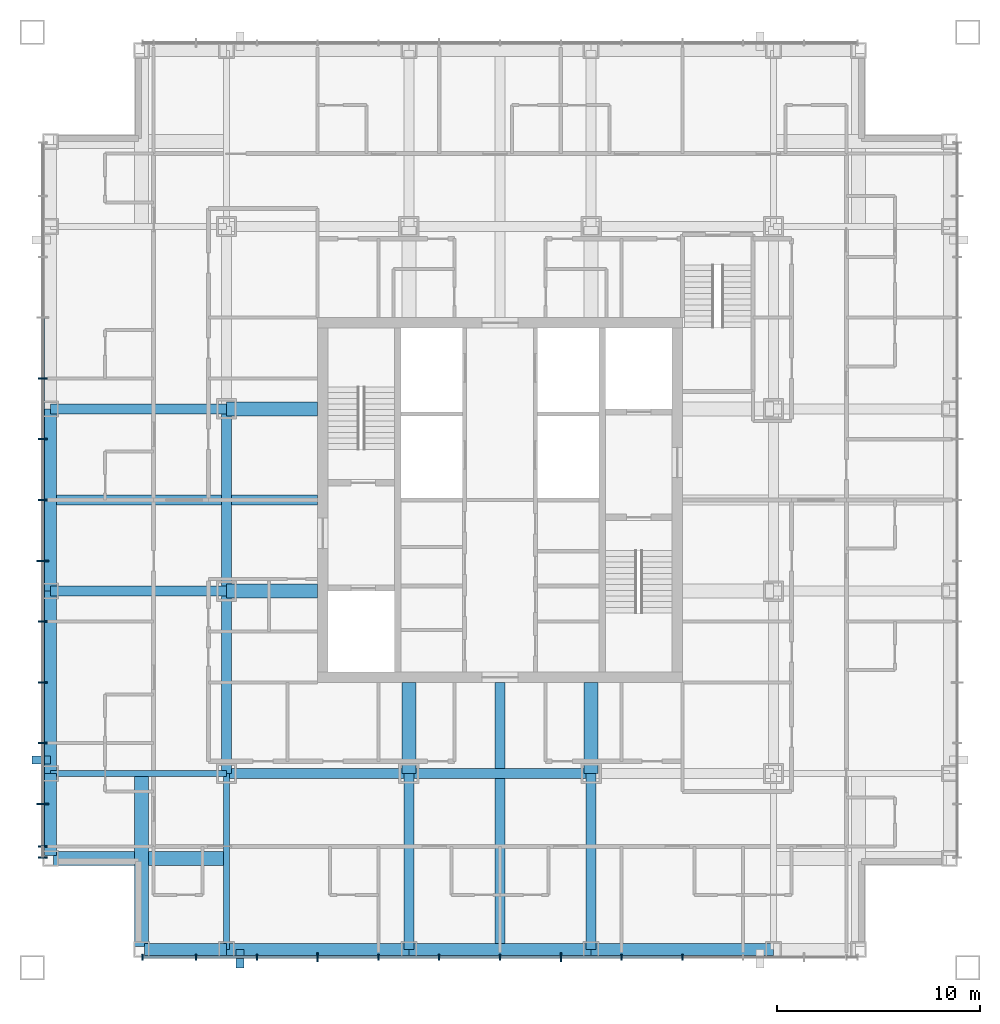
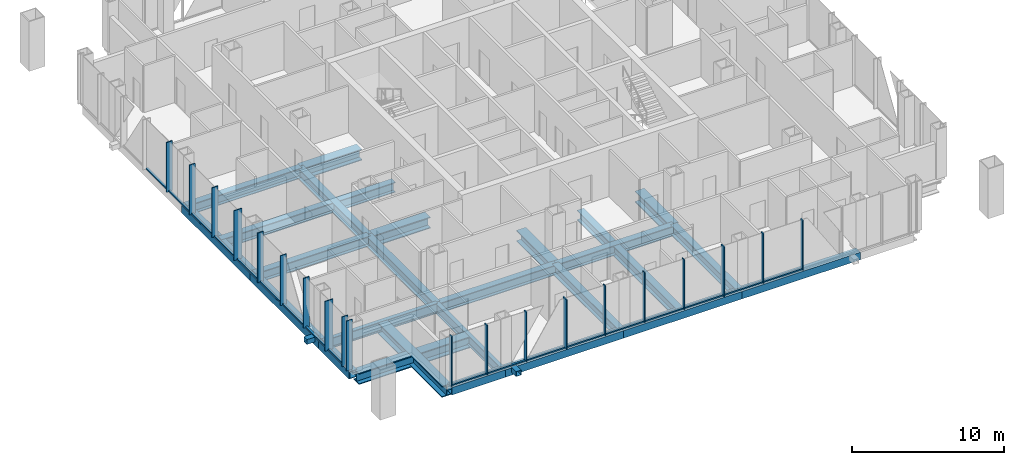
# One storey, part 2 of 18: 40 members, 25 beams, 2 elements without a shape of their own.
"""IFC4 building model written with IfcOpenShell, lengths in metres."""

from ifc_helpers import new_model, si_unit, direction, frame, origin, origin_2d, place, context, subcontext, project, spatial, rectangle, hollow_rectangle, i_section, extrude, material, layer, layer_set, material_profile, profile_set, type_object, element, aggregate, save


model = new_model("IFC4")

# Units and contexts
model_context = context("Model", 3, precision=1e-05, world=origin(), true_north=direction((0.0, 1.0)))
body_context = subcontext(model_context, "Body", "Model", "MODEL_VIEW")
ifc_project = project(units=[si_unit("LENGTHUNIT", "METRE"), si_unit("AREAUNIT", "SQUARE_METRE"), si_unit("VOLUMEUNIT", "CUBIC_METRE"), si_unit("PLANEANGLEUNIT", "RADIAN"), si_unit("MASSUNIT", "GRAM", prefix="KILO")], contexts=[model_context])

# Site, building, storey
site_placement = place(None, origin())
site = spatial("IfcSite", under=ifc_project, at=site_placement, CompositionType="ELEMENT")
building_placement = place(site_placement, origin())
building = spatial("IfcBuilding", under=site, at=building_placement, Name="Malebo Sky Hospital", CompositionType="ELEMENT")
storey_placement = place(building_placement, frame((0.0, 0.0, 225.0)))
storey = spatial("IfcBuildingStorey", under=building, at=storey_placement, Name="L54", CompositionType="ELEMENT", Elevation=225.0)

# Curtain wall, members
ifc_material_1 = material(Name="Anodised aluminium, natural silver", Category="aluminium")
ifc_layer_1 = layer(ifc_material_1, 0.25)
ifc_layer_set_1 = layer_set([ifc_layer_1], Name="WARD CURTAIN WALL EAST AND WEST")
curtain_wall_type_1 = type_object("IfcCurtainWallType", Name="WARD CURTAIN WALL EAST AND WEST", PredefinedType="NOTDEFINED", material=ifc_layer_set_1)
curtain_wall_1_placement = place(storey_placement, origin())
curtain_wall_1 = element("IfcCurtainWall", 1, at=curtain_wall_1_placement, inside=storey, type_object=curtain_wall_type_1, Name="EW curtain wall W", PredefinedType="NOTDEFINED")
ifc_material_profile_1 = material_profile(ifc_material_1, rectangle(XDim=0.14990234375, YDim=0.10009765625, at=origin_2d()), Name="ALUMINIUM TRANSOM 150x100")
ifc_profile_set_1 = profile_set([ifc_material_profile_1], Name="Anodised aluminium, natural silver")
member_type_1 = type_object("IfcMemberType", Name="ALUMINIUM TRANSOM 150x100", PredefinedType="USERDEFINED", material=ifc_profile_set_1)
member_1_placement = place(storey_placement, frame((37.425048828125, 44.9375, 0.050048828125), z_axis=(0.0, 1.0, 0.0), x_axis=(-1.0, 0.0, 0.0)))
member_1 = element("IfcMember", 2, at=member_1_placement, type_object=member_type_1, Name="Transom 2", ObjectType="TRANSOM", PredefinedType="USERDEFINED", context=body_context, shape_type="SweptSolid", body=[
    extrude(rectangle(XDim=0.14990234375, YDim=0.10009765625, at=origin_2d()), origin(), (0.0, 0.0, 1.0), 2.02490234375),
])
member_2_placement = place(storey_placement, frame((37.425048828125, 47.03759765625, 0.050048828125), z_axis=(0.0, 1.0, 0.0), x_axis=(-1.0, 0.0, 0.0)))
member_2 = element("IfcMember", 3, at=member_2_placement, type_object=member_type_1, Name="Transom 3", ObjectType="TRANSOM", PredefinedType="USERDEFINED", context=body_context, shape_type="SweptSolid", body=[
    extrude(rectangle(XDim=0.14990234375, YDim=0.10009765625, at=origin_2d()), origin(), (0.0, 0.0, 1.0), 2.9248046875),
])
member_3_placement = place(storey_placement, frame((37.425048828125, 50.03759765625, 0.050048828125), z_axis=(0.0, 1.0, 0.0), x_axis=(-1.0, 0.0, 0.0)))
member_3 = element("IfcMember", 4, at=member_3_placement, type_object=member_type_1, Name="Transom 4", ObjectType="TRANSOM", PredefinedType="USERDEFINED", context=body_context, shape_type="SweptSolid", body=[
    extrude(rectangle(XDim=0.14990234375, YDim=0.10009765625, at=origin_2d()), origin(), (0.0, 0.0, 1.0), 2.9248046875),
])
member_4_placement = place(storey_placement, frame((37.425048828125, 53.03759765625, 0.050048828125), z_axis=(0.0, 1.0, 0.0), x_axis=(-1.0, 0.0, 0.0)))
member_4 = element("IfcMember", 5, at=member_4_placement, type_object=member_type_1, Name="Transom 5", ObjectType="TRANSOM", PredefinedType="USERDEFINED", context=body_context, shape_type="SweptSolid", body=[
    extrude(rectangle(XDim=0.14990234375, YDim=0.10009765625, at=origin_2d()), origin(), (0.0, 0.0, 1.0), 2.9248046875),
])
member_5_placement = place(storey_placement, frame((37.425048828125, 56.03759765625, 0.050048828125), z_axis=(0.0, 1.0, 0.0), x_axis=(-1.0, 0.0, 0.0)))
member_5 = element("IfcMember", 6, at=member_5_placement, type_object=member_type_1, Name="Transom 6", ObjectType="TRANSOM", PredefinedType="USERDEFINED", context=body_context, shape_type="SweptSolid", body=[
    extrude(rectangle(XDim=0.14990234375, YDim=0.10009765625, at=origin_2d()), origin(), (0.0, 0.0, 1.0), 2.9248046875),
])
member_6_placement = place(storey_placement, frame((37.425048828125, 59.03759765625, 0.050048828125), z_axis=(0.0, 1.0, 0.0), x_axis=(-1.0, 0.0, 0.0)))
member_6 = element("IfcMember", 7, at=member_6_placement, type_object=member_type_1, Name="Transom 7", ObjectType="TRANSOM", PredefinedType="USERDEFINED", context=body_context, shape_type="SweptSolid", body=[
    extrude(rectangle(XDim=0.14990234375, YDim=0.10009765625, at=origin_2d()), origin(), (0.0, 0.0, 1.0), 2.9248046875),
])
member_7_placement = place(storey_placement, frame((37.425048828125, 62.03759765625, 0.050048828125), z_axis=(0.0, 1.0, 0.0), x_axis=(-1.0, 0.0, 0.0)))
member_7 = element("IfcMember", 8, at=member_7_placement, type_object=member_type_1, Name="Transom 8", ObjectType="TRANSOM", PredefinedType="USERDEFINED", context=body_context, shape_type="SweptSolid", body=[
    extrude(rectangle(XDim=0.14990234375, YDim=0.10009765625, at=origin_2d()), origin(), (0.0, 0.0, 1.0), 2.9248046875),
])
member_8_placement = place(storey_placement, frame((37.425048828125, 65.03759765625, 0.050048828125), z_axis=(0.0, 1.0, 0.0), x_axis=(-1.0, 0.0, 0.0)))
member_8 = element("IfcMember", 9, at=member_8_placement, type_object=member_type_1, Name="Transom 9", ObjectType="TRANSOM", PredefinedType="USERDEFINED", context=body_context, shape_type="SweptSolid", body=[
    extrude(rectangle(XDim=0.14990234375, YDim=0.10009765625, at=origin_2d()), origin(), (0.0, 0.0, 1.0), 2.9248046875),
])
member_9_placement = place(storey_placement, frame((37.425048828125, 68.03759765625, 0.050048828125), z_axis=(0.0, 1.0, 0.0), x_axis=(-1.0, 0.0, 0.0)))
member_9 = element("IfcMember", 10, at=member_9_placement, type_object=member_type_1, Name="Transom 10", ObjectType="TRANSOM", PredefinedType="USERDEFINED", context=body_context, shape_type="SweptSolid", body=[
    extrude(rectangle(XDim=0.14990234375, YDim=0.10009765625, at=origin_2d()), origin(), (0.0, 0.0, 1.0), 2.9248046875),
])

ifc_layer_2 = layer(ifc_material_1, 0.25)
ifc_layer_set_2 = layer_set([ifc_layer_2], Name="WARD CURTAIN WALL NORTH AND SOUTH")
curtain_wall_type_2 = type_object("IfcCurtainWallType", Name="WARD CURTAIN WALL NORTH AND SOUTH", PredefinedType="NOTDEFINED", material=ifc_layer_set_2)
curtain_wall_2_placement = place(storey_placement, origin())
curtain_wall_2 = element("IfcCurtainWall", 11, at=curtain_wall_2_placement, inside=storey, type_object=curtain_wall_type_2, Name="NS curtain wall S", PredefinedType="NOTDEFINED")
member_10_placement = place(storey_placement, frame((68.96240234375, 39.425048828125, 0.050048828125), z_axis=(-1.0, 0.0, 0.0), x_axis=(0.0, -1.0, 0.0)))
member_10 = element("IfcMember", 12, at=member_10_placement, type_object=member_type_1, Name="Transom 5", ObjectType="TRANSOM", PredefinedType="USERDEFINED", context=body_context, shape_type="SweptSolid", body=[
    extrude(rectangle(XDim=0.14990234375, YDim=0.10009765625, at=origin_2d()), origin(), (0.0, 0.0, 1.0), 2.9248046875),
])
member_11_placement = place(storey_placement, frame((65.96240234375, 39.425048828125, 0.050048828125), z_axis=(-1.0, 0.0, 0.0), x_axis=(0.0, -1.0, 0.0)))
member_11 = element("IfcMember", 13, at=member_11_placement, type_object=member_type_1, Name="Transom 6", ObjectType="TRANSOM", PredefinedType="USERDEFINED", context=body_context, shape_type="SweptSolid", body=[
    extrude(rectangle(XDim=0.14990234375, YDim=0.10009765625, at=origin_2d()), origin(), (0.0, 0.0, 1.0), 2.9248046875),
])
member_12_placement = place(storey_placement, frame((62.96240234375, 39.425048828125, 0.050048828125), z_axis=(-1.0, 0.0, 0.0), x_axis=(0.0, -1.0, 0.0)))
member_12 = element("IfcMember", 14, at=member_12_placement, type_object=member_type_1, Name="Transom 7", ObjectType="TRANSOM", PredefinedType="USERDEFINED", context=body_context, shape_type="SweptSolid", body=[
    extrude(rectangle(XDim=0.14990234375, YDim=0.10009765625, at=origin_2d()), origin(), (0.0, 0.0, 1.0), 2.9248046875),
])
member_13_placement = place(storey_placement, frame((59.96240234375, 39.425048828125, 0.050048828125), z_axis=(-1.0, 0.0, 0.0), x_axis=(0.0, -1.0, 0.0)))
member_13 = element("IfcMember", 15, at=member_13_placement, type_object=member_type_1, Name="Transom 8", ObjectType="TRANSOM", PredefinedType="USERDEFINED", context=body_context, shape_type="SweptSolid", body=[
    extrude(rectangle(XDim=0.14990234375, YDim=0.10009765625, at=origin_2d()), origin(), (0.0, 0.0, 1.0), 2.9248046875),
])
member_14_placement = place(storey_placement, frame((56.96240234375, 39.425048828125, 0.050048828125), z_axis=(-1.0, 0.0, 0.0), x_axis=(0.0, -1.0, 0.0)))
member_14 = element("IfcMember", 16, at=member_14_placement, type_object=member_type_1, Name="Transom 9", ObjectType="TRANSOM", PredefinedType="USERDEFINED", context=body_context, shape_type="SweptSolid", body=[
    extrude(rectangle(XDim=0.14990234375, YDim=0.10009765625, at=origin_2d()), origin(), (0.0, 0.0, 1.0), 2.9248046875),
])
member_15_placement = place(storey_placement, frame((53.96240234375, 39.425048828125, 0.050048828125), z_axis=(-1.0, 0.0, 0.0), x_axis=(0.0, -1.0, 0.0)))
member_15 = element("IfcMember", 17, at=member_15_placement, type_object=member_type_1, Name="Transom 10", ObjectType="TRANSOM", PredefinedType="USERDEFINED", context=body_context, shape_type="SweptSolid", body=[
    extrude(rectangle(XDim=0.14990234375, YDim=0.10009765625, at=origin_2d()), origin(), (0.0, 0.0, 1.0), 2.9248046875),
])
member_16_placement = place(storey_placement, frame((50.96240234375, 39.425048828125, 0.050048828125), z_axis=(-1.0, 0.0, 0.0), x_axis=(0.0, -1.0, 0.0)))
member_16 = element("IfcMember", 18, at=member_16_placement, type_object=member_type_1, Name="Transom 11", ObjectType="TRANSOM", PredefinedType="USERDEFINED", context=body_context, shape_type="SweptSolid", body=[
    extrude(rectangle(XDim=0.14990234375, YDim=0.10009765625, at=origin_2d()), origin(), (0.0, 0.0, 1.0), 2.9248046875),
])
member_17_placement = place(storey_placement, frame((47.96240234375, 39.425048828125, 0.050048828125), z_axis=(-1.0, 0.0, 0.0), x_axis=(0.0, -1.0, 0.0)))
member_17 = element("IfcMember", 19, at=member_17_placement, type_object=member_type_1, Name="Transom 12", ObjectType="TRANSOM", PredefinedType="USERDEFINED", context=body_context, shape_type="SweptSolid", body=[
    extrude(rectangle(XDim=0.14990234375, YDim=0.10009765625, at=origin_2d()), origin(), (0.0, 0.0, 1.0), 2.9248046875),
])
member_18_placement = place(storey_placement, frame((44.96240234375, 39.425048828125, 0.050048828125), z_axis=(-1.0, 0.0, 0.0), x_axis=(0.0, -1.0, 0.0)))
member_18 = element("IfcMember", 20, at=member_18_placement, type_object=member_type_1, Name="Transom 13", ObjectType="TRANSOM", PredefinedType="USERDEFINED", context=body_context, shape_type="SweptSolid", body=[
    extrude(rectangle(XDim=0.14990234375, YDim=0.10009765625, at=origin_2d()), origin(), (0.0, 0.0, 1.0), 2.58740234375),
])

# Members
ifc_material_2 = material(Name="Steel S355", Category="steel")
ifc_material_profile_2 = material_profile(ifc_material_2, hollow_rectangle(XDim=0.39990234375, YDim=0.39990234375, WallThickness=0.02001953125, at=origin_2d()), Name="SHS 400x20")
ifc_profile_set_2 = profile_set([ifc_material_profile_2], Name="Steel S355")
member_type_2 = type_object("IfcMemberType", Name="BRACE STRUT SHS 400x20", PredefinedType="STRUT", material=ifc_profile_set_2)
for number, where, z_axis, x_axis, name in (
    (21, (47.166748046875, 38.89990234375, -0.39990234375), (0.0, 1.0, 0.0), (-1.0, 0.0, 0.0), "Brace strut CS1 L54"),
    (22, (36.89990234375, 49.166748046875, -0.39990234375), (1.0, 0.0, 0.0), (0.0, 1.0, 0.0), "Brace strut CW2 L54"),
):
    element("IfcMember", number, at=place(storey_placement, frame(where, z_axis=z_axis, x_axis=x_axis)), inside=storey, type_object=member_type_2, Name=name, PredefinedType="STRUT", context=body_context, shape_type="SweptSolid", body=[
        extrude(hollow_rectangle(XDim=0.39990234375, YDim=0.39990234375, WallThickness=0.02001953125, at=origin_2d()), origin(), (0.0, 0.0, 1.0), 0.900146484375),
    ])

# Member
ifc_material_profile_3 = material_profile(ifc_material_1, rectangle(XDim=0.074951171875, YDim=0.300048828125, at=origin_2d()), Name="CW1 ALUMINIUM FIN MULLION 75x300")
ifc_profile_set_3 = profile_set([ifc_material_profile_3], Name="Anodised aluminium, natural silver")
member_type_3 = type_object("IfcMemberType", Name="CW1 ALUMINIUM FIN MULLION 75x300", PredefinedType="MULLION", material=ifc_profile_set_3)
member_19_placement = place(storey_placement, frame((69.0, 39.425048828125, 0.0), z_axis=(0.0, 0.0, 1.0), x_axis=(-1.0, 0.0, 0.0)))
member_19 = element("IfcMember", 23, at=member_19_placement, type_object=member_type_3, Name="Fin mullion 5", PredefinedType="MULLION", context=body_context, shape_type="SweptSolid", body=[
    extrude(rectangle(XDim=0.074951171875, YDim=0.300048828125, at=origin_2d()), origin(), (0.0, 0.0, 1.0), 4.0),
])

member_20_placement = place(storey_placement, frame((66.0, 39.425048828125, 0.0), z_axis=(0.0, 0.0, 1.0), x_axis=(-1.0, 0.0, 0.0)))
member_20 = element("IfcMember", 24, at=member_20_placement, type_object=member_type_3, Name="Fin mullion 6", PredefinedType="MULLION", context=body_context, shape_type="SweptSolid", body=[
    extrude(rectangle(XDim=0.074951171875, YDim=0.300048828125, at=origin_2d()), origin(), (0.0, 0.0, 1.0), 4.0),
])

member_21_placement = place(storey_placement, frame((60.0, 39.425048828125, 0.0), z_axis=(0.0, 0.0, 1.0), x_axis=(-1.0, 0.0, 0.0)))
member_21 = element("IfcMember", 25, at=member_21_placement, type_object=member_type_3, Name="Fin mullion 8", PredefinedType="MULLION", context=body_context, shape_type="SweptSolid", body=[
    extrude(rectangle(XDim=0.074951171875, YDim=0.300048828125, at=origin_2d()), origin(), (0.0, 0.0, 1.0), 4.0),
])

member_22_placement = place(storey_placement, frame((57.0, 39.425048828125, 0.0), z_axis=(0.0, 0.0, 1.0), x_axis=(-1.0, 0.0, 0.0)))
member_22 = element("IfcMember", 26, at=member_22_placement, type_object=member_type_3, Name="Fin mullion 9", PredefinedType="MULLION", context=body_context, shape_type="SweptSolid", body=[
    extrude(rectangle(XDim=0.074951171875, YDim=0.300048828125, at=origin_2d()), origin(), (0.0, 0.0, 1.0), 4.0),
])

member_23_placement = place(storey_placement, frame((54.0, 39.425048828125, 0.0), z_axis=(0.0, 0.0, 1.0), x_axis=(-1.0, 0.0, 0.0)))
member_23 = element("IfcMember", 27, at=member_23_placement, type_object=member_type_3, Name="Fin mullion 10", PredefinedType="MULLION", context=body_context, shape_type="SweptSolid", body=[
    extrude(rectangle(XDim=0.074951171875, YDim=0.300048828125, at=origin_2d()), origin(), (0.0, 0.0, 1.0), 4.0),
])

member_24_placement = place(storey_placement, frame((48.0, 39.425048828125, 0.0), z_axis=(0.0, 0.0, 1.0), x_axis=(-1.0, 0.0, 0.0)))
member_24 = element("IfcMember", 28, at=member_24_placement, type_object=member_type_3, Name="Fin mullion 12", PredefinedType="MULLION", context=body_context, shape_type="SweptSolid", body=[
    extrude(rectangle(XDim=0.074951171875, YDim=0.300048828125, at=origin_2d()), origin(), (0.0, 0.0, 1.0), 4.0),
])

member_25_placement = place(storey_placement, frame((45.0, 39.425048828125, 0.0), z_axis=(0.0, 0.0, 1.0), x_axis=(-1.0, 0.0, 0.0)))
member_25 = element("IfcMember", 29, at=member_25_placement, type_object=member_type_3, Name="Fin mullion 13", PredefinedType="MULLION", context=body_context, shape_type="SweptSolid", body=[
    extrude(rectangle(XDim=0.074951171875, YDim=0.300048828125, at=origin_2d()), origin(), (0.0, 0.0, 1.0), 4.0),
])

member_26_placement = place(storey_placement, frame((42.33740234375, 39.425048828125, 0.0), z_axis=(0.0, 0.0, 1.0), x_axis=(-1.0, 0.0, 0.0)))
member_26 = element("IfcMember", 30, at=member_26_placement, type_object=member_type_3, Name="Fin mullion 14", PredefinedType="MULLION", context=body_context, shape_type="SweptSolid", body=[
    extrude(rectangle(XDim=0.074951171875, YDim=0.300048828125, at=origin_2d()), origin(), (0.0, 0.0, 1.0), 4.0),
])

ifc_material_profile_4 = material_profile(ifc_material_1, rectangle(XDim=0.074951171875, YDim=0.449951171875, at=origin_2d()), Name="CW1 ALUMINIUM FIN MULLION 75x450")
ifc_profile_set_4 = profile_set([ifc_material_profile_4], Name="Anodised aluminium, natural silver")
member_type_4 = type_object("IfcMemberType", Name="CW1 ALUMINIUM FIN MULLION 75x450", PredefinedType="MULLION", material=ifc_profile_set_4)
member_27_placement = place(storey_placement, frame((63.0, 39.425048828125, 0.0), z_axis=(0.0, 0.0, 1.0), x_axis=(-1.0, 0.0, 0.0)))
member_27 = element("IfcMember", 31, at=member_27_placement, type_object=member_type_4, Name="Fin mullion 7", PredefinedType="MULLION", context=body_context, shape_type="SweptSolid", body=[
    extrude(rectangle(XDim=0.074951171875, YDim=0.449951171875, at=origin_2d()), origin(), (0.0, 0.0, 1.0), 4.0),
])

member_28_placement = place(storey_placement, frame((51.0, 39.425048828125, 0.0), z_axis=(0.0, 0.0, 1.0), x_axis=(-1.0, 0.0, 0.0)))
member_28 = element("IfcMember", 32, at=member_28_placement, type_object=member_type_4, Name="Fin mullion 11", PredefinedType="MULLION", context=body_context, shape_type="SweptSolid", body=[
    extrude(rectangle(XDim=0.074951171875, YDim=0.449951171875, at=origin_2d()), origin(), (0.0, 0.0, 1.0), 4.0),
])

aggregate(curtain_wall_2, [member_19, member_20, member_27, member_21, member_22, member_23, member_28, member_24, member_25, member_26, member_10, member_11, member_12, member_13, member_14, member_15, member_16, member_17, member_18])

ifc_material_profile_5 = material_profile(ifc_material_1, rectangle(XDim=0.074951171875, YDim=0.449951171875, at=origin_2d()), Name="CW2 ALUMINIUM FIN MULLION 75x450")
ifc_profile_set_5 = profile_set([ifc_material_profile_5], Name="Anodised aluminium, natural silver")
member_type_5 = type_object("IfcMemberType", Name="CW2 ALUMINIUM FIN MULLION 75x450", PredefinedType="MULLION", material=ifc_profile_set_5)
member_29_placement = place(storey_placement, frame((37.425048828125, 44.33740234375, 0.0), z_axis=(0.0, 0.0, 1.0), x_axis=(0.0, 1.0, 0.0)))
member_29 = element("IfcMember", 33, at=member_29_placement, type_object=member_type_5, Name="Fin mullion 1", PredefinedType="MULLION", context=body_context, shape_type="SweptSolid", body=[
    extrude(rectangle(XDim=0.074951171875, YDim=0.449951171875, at=origin_2d()), origin(), (0.0, 0.0, 1.0), 4.0),
])

member_30_placement = place(storey_placement, frame((37.425048828125, 44.89990234375, 0.0), z_axis=(0.0, 0.0, 1.0), x_axis=(0.0, 1.0, 0.0)))
member_30 = element("IfcMember", 34, at=member_30_placement, type_object=member_type_5, Name="Fin mullion 2", PredefinedType="MULLION", context=body_context, shape_type="SweptSolid", body=[
    extrude(rectangle(XDim=0.074951171875, YDim=0.449951171875, at=origin_2d()), origin(), (0.0, 0.0, 1.0), 4.0),
])

member_31_placement = place(storey_placement, frame((37.425048828125, 50.0, 0.0), z_axis=(0.0, 0.0, 1.0), x_axis=(0.0, 1.0, 0.0)))
member_31 = element("IfcMember", 35, at=member_31_placement, type_object=member_type_5, Name="Fin mullion 4", PredefinedType="MULLION", context=body_context, shape_type="SweptSolid", body=[
    extrude(rectangle(XDim=0.074951171875, YDim=0.449951171875, at=origin_2d()), origin(), (0.0, 0.0, 1.0), 4.0),
])

member_32_placement = place(storey_placement, frame((37.425048828125, 53.0, 0.0), z_axis=(0.0, 0.0, 1.0), x_axis=(0.0, 1.0, 0.0)))
member_32 = element("IfcMember", 36, at=member_32_placement, type_object=member_type_5, Name="Fin mullion 5", PredefinedType="MULLION", context=body_context, shape_type="SweptSolid", body=[
    extrude(rectangle(XDim=0.074951171875, YDim=0.449951171875, at=origin_2d()), origin(), (0.0, 0.0, 1.0), 4.0),
])

member_33_placement = place(storey_placement, frame((37.425048828125, 56.0, 0.0), z_axis=(0.0, 0.0, 1.0), x_axis=(0.0, 1.0, 0.0)))
member_33 = element("IfcMember", 37, at=member_33_placement, type_object=member_type_5, Name="Fin mullion 6", PredefinedType="MULLION", context=body_context, shape_type="SweptSolid", body=[
    extrude(rectangle(XDim=0.074951171875, YDim=0.449951171875, at=origin_2d()), origin(), (0.0, 0.0, 1.0), 4.0),
])

member_34_placement = place(storey_placement, frame((37.425048828125, 62.0, 0.0), z_axis=(0.0, 0.0, 1.0), x_axis=(0.0, 1.0, 0.0)))
member_34 = element("IfcMember", 38, at=member_34_placement, type_object=member_type_5, Name="Fin mullion 8", PredefinedType="MULLION", context=body_context, shape_type="SweptSolid", body=[
    extrude(rectangle(XDim=0.074951171875, YDim=0.449951171875, at=origin_2d()), origin(), (0.0, 0.0, 1.0), 4.0),
])

member_35_placement = place(storey_placement, frame((37.425048828125, 65.0, 0.0), z_axis=(0.0, 0.0, 1.0), x_axis=(0.0, 1.0, 0.0)))
member_35 = element("IfcMember", 39, at=member_35_placement, type_object=member_type_5, Name="Fin mullion 9", PredefinedType="MULLION", context=body_context, shape_type="SweptSolid", body=[
    extrude(rectangle(XDim=0.074951171875, YDim=0.449951171875, at=origin_2d()), origin(), (0.0, 0.0, 1.0), 4.0),
])

member_36_placement = place(storey_placement, frame((37.425048828125, 68.0, 0.0), z_axis=(0.0, 0.0, 1.0), x_axis=(0.0, 1.0, 0.0)))
member_36 = element("IfcMember", 40, at=member_36_placement, type_object=member_type_5, Name="Fin mullion 10", PredefinedType="MULLION", context=body_context, shape_type="SweptSolid", body=[
    extrude(rectangle(XDim=0.074951171875, YDim=0.449951171875, at=origin_2d()), origin(), (0.0, 0.0, 1.0), 4.0),
])

ifc_material_profile_6 = material_profile(ifc_material_1, rectangle(XDim=0.074951171875, YDim=0.60009765625, at=origin_2d()), Name="CW2 ALUMINIUM FIN MULLION 75x600")
ifc_profile_set_6 = profile_set([ifc_material_profile_6], Name="Anodised aluminium, natural silver")
member_type_6 = type_object("IfcMemberType", Name="CW2 ALUMINIUM FIN MULLION 75x600", PredefinedType="MULLION", material=ifc_profile_set_6)
member_37_placement = place(storey_placement, frame((37.425048828125, 47.0, 0.0), z_axis=(0.0, 0.0, 1.0), x_axis=(0.0, 1.0, 0.0)))
member_37 = element("IfcMember", 41, at=member_37_placement, type_object=member_type_6, Name="Fin mullion 3", PredefinedType="MULLION", context=body_context, shape_type="SweptSolid", body=[
    extrude(rectangle(XDim=0.074951171875, YDim=0.60009765625, at=origin_2d()), origin(), (0.0, 0.0, 1.0), 4.0),
])

member_38_placement = place(storey_placement, frame((37.425048828125, 59.0, 0.0), z_axis=(0.0, 0.0, 1.0), x_axis=(0.0, 1.0, 0.0)))
member_38 = element("IfcMember", 42, at=member_38_placement, type_object=member_type_6, Name="Fin mullion 7", PredefinedType="MULLION", context=body_context, shape_type="SweptSolid", body=[
    extrude(rectangle(XDim=0.074951171875, YDim=0.60009765625, at=origin_2d()), origin(), (0.0, 0.0, 1.0), 4.0),
])

aggregate(curtain_wall_1, [member_29, member_30, member_37, member_31, member_32, member_33, member_38, member_34, member_35, member_36, member_1, member_2, member_3, member_4, member_5, member_6, member_7, member_8, member_9])

# Beams
ifc_material_3 = material(Name="Steel S460", Category="steel")
ifc_material_profile_7 = material_profile(ifc_material_3, hollow_rectangle(XDim=0.60009765625, YDim=0.60009765625, WallThickness=0.0400390625, at=origin_2d()), Name="BOX 600x600x40")
ifc_profile_set_7 = profile_set([ifc_material_profile_7], Name="Steel S460")
beam_type_1 = type_object("IfcBeamType", Name="EDGE BEAM BOX 600x600x40", PredefinedType="BEAM", material=ifc_profile_set_7)
beam_1_placement = place(storey_placement, frame((37.800048828125, 44.449951171875, -0.550048828125), z_axis=(0.0, 1.0, 0.0), x_axis=(-1.0, 0.0, 0.0)))
element("IfcBeam", 43, at=beam_1_placement, inside=storey, type_object=beam_type_1, Name="Beam 000 L54", PredefinedType="BEAM", context=body_context, shape_type="SweptSolid", body=[
    extrude(hollow_rectangle(XDim=0.60009765625, YDim=0.60009765625, WallThickness=0.0400390625, at=origin_2d()), origin(), (0.0, 0.0, 1.0), 4.050048828125),
])
for number, where, z_axis, x_axis, name in (
    (44, (37.800048828125, 48.5, -0.550048828125), (0.0, 1.0, 0.0), (-1.0, 0.0, 0.0), "Beam 001 L54"),
    (45, (37.800048828125, 57.5, -0.550048828125), (0.0, 1.0, 0.0), (-1.0, 0.0, 0.0), "Beam 002 L54"),
):
    element("IfcBeam", number, at=place(storey_placement, frame(where, z_axis=z_axis, x_axis=x_axis)), inside=storey, type_object=beam_type_1, Name=name, PredefinedType="BEAM", context=body_context, shape_type="SweptSolid", body=[
        extrude(hollow_rectangle(XDim=0.60009765625, YDim=0.60009765625, WallThickness=0.0400390625, at=origin_2d()), origin(), (0.0, 0.0, 1.0), 9.0),
    ])
beam_2_placement = place(storey_placement, frame((42.449951171875, 39.800048828125, -0.550048828125), z_axis=(1.0, 0.0, 0.0), x_axis=(0.0, 1.0, 0.0)))
element("IfcBeam", 46, at=beam_2_placement, inside=storey, type_object=beam_type_1, Name="Beam 034 L54", PredefinedType="BEAM", context=body_context, shape_type="SweptSolid", body=[
    extrude(hollow_rectangle(XDim=0.60009765625, YDim=0.60009765625, WallThickness=0.0400390625, at=origin_2d()), origin(), (0.0, 0.0, 1.0), 4.050048828125),
])
for number, where, z_axis, x_axis, name in (
    (47, (46.5, 39.800048828125, -0.550048828125), (1.0, 0.0, 0.0), (0.0, 1.0, 0.0), "Beam 035 L54"),
    (48, (55.5, 39.800048828125, -0.550048828125), (1.0, 0.0, 0.0), (0.0, 1.0, 0.0), "Beam 036 L54"),
    (49, (64.5, 39.800048828125, -0.550048828125), (1.0, 0.0, 0.0), (0.0, 1.0, 0.0), "Beam 037 L54"),
):
    element("IfcBeam", number, at=place(storey_placement, frame(where, z_axis=z_axis, x_axis=x_axis)), inside=storey, type_object=beam_type_1, Name=name, PredefinedType="BEAM", context=body_context, shape_type="SweptSolid", body=[
        extrude(hollow_rectangle(XDim=0.60009765625, YDim=0.60009765625, WallThickness=0.0400390625, at=origin_2d()), origin(), (0.0, 0.0, 1.0), 9.0),
    ])
ifc_material_profile_8 = material_profile(ifc_material_2, i_section(OverallWidth=0.5, OverallDepth=0.800048828125, WebThickness=0.030029296875, FlangeThickness=0.050048828125, at=origin_2d()), Name="PG 800x500x30x50")
ifc_profile_set_8 = profile_set([ifc_material_profile_8], Name="Steel S355")
beam_type_2 = type_object("IfcBeamType", Name="FLOOR BEAM PG 800x500x30x50", PredefinedType="BEAM", material=ifc_profile_set_8)
beam_3_placement = place(storey_placement, frame((46.5, 48.5, -0.64990234375), z_axis=(0.0, 1.0, 0.0), x_axis=(-1.0, 0.0, 0.0)))
element("IfcBeam", 50, at=beam_3_placement, inside=storey, type_object=beam_type_2, Name="Beam 008 L54", PredefinedType="BEAM", context=body_context, shape_type="SweptSolid", body=[
    extrude(i_section(OverallWidth=0.5, OverallDepth=0.800048828125, WebThickness=0.030029296875, FlangeThickness=0.050048828125, at=origin_2d()), origin(), (0.0, 0.0, 1.0), 9.0),
])
beam_4_placement = place(storey_placement, frame((55.5, 39.800048828125, -0.64990234375), z_axis=(0.0, 1.0, 0.0), x_axis=(-1.0, 0.0, 0.0)))
element("IfcBeam", 51, at=beam_4_placement, inside=storey, type_object=beam_type_2, Name="Beam 012 L54", PredefinedType="BEAM", context=body_context, shape_type="SweptSolid", body=[
    extrude(i_section(OverallWidth=0.5, OverallDepth=0.800048828125, WebThickness=0.030029296875, FlangeThickness=0.050048828125, at=origin_2d()), origin(), (0.0, 0.0, 1.0), 8.699951171875),
])
beam_5_placement = place(storey_placement, frame((60.0, 39.800048828125, -0.64990234375), z_axis=(0.0, 1.0, 0.0), x_axis=(-1.0, 0.0, 0.0)))
element("IfcBeam", 52, at=beam_5_placement, inside=storey, type_object=beam_type_2, Name="Beam 016 L54", PredefinedType="BEAM", context=body_context, shape_type="SweptSolid", body=[
    extrude(i_section(OverallWidth=0.5, OverallDepth=0.800048828125, WebThickness=0.030029296875, FlangeThickness=0.050048828125, at=origin_2d()), origin(), (0.0, 0.0, 1.0), 13.199951171875),
])
beam_6_placement = place(storey_placement, frame((64.5, 39.800048828125, -0.64990234375), z_axis=(0.0, 1.0, 0.0), x_axis=(-1.0, 0.0, 0.0)))
element("IfcBeam", 53, at=beam_6_placement, inside=storey, type_object=beam_type_2, Name="Beam 018 L54", PredefinedType="BEAM", context=body_context, shape_type="SweptSolid", body=[
    extrude(i_section(OverallWidth=0.5, OverallDepth=0.800048828125, WebThickness=0.030029296875, FlangeThickness=0.050048828125, at=origin_2d()), origin(), (0.0, 0.0, 1.0), 8.699951171875),
])
beam_7_placement = place(storey_placement, frame((46.5, 48.5, -0.64990234375), z_axis=(1.0, 0.0, 0.0), x_axis=(0.0, 1.0, 0.0)))
element("IfcBeam", 54, at=beam_7_placement, inside=storey, type_object=beam_type_2, Name="Beam 042 L54", PredefinedType="BEAM", context=body_context, shape_type="SweptSolid", body=[
    extrude(i_section(OverallWidth=0.5, OverallDepth=0.800048828125, WebThickness=0.030029296875, FlangeThickness=0.050048828125, at=origin_2d()), origin(), (0.0, 0.0, 1.0), 9.0),
])
beam_8_placement = place(storey_placement, frame((37.800048828125, 57.5, -0.64990234375), z_axis=(1.0, 0.0, 0.0), x_axis=(0.0, 1.0, 0.0)))
element("IfcBeam", 55, at=beam_8_placement, inside=storey, type_object=beam_type_2, Name="Beam 046 L54", PredefinedType="BEAM", context=body_context, shape_type="SweptSolid", body=[
    extrude(i_section(OverallWidth=0.5, OverallDepth=0.800048828125, WebThickness=0.030029296875, FlangeThickness=0.050048828125, at=origin_2d()), origin(), (0.0, 0.0, 1.0), 8.699951171875),
])
beam_9_placement = place(storey_placement, frame((37.800048828125, 62.0, -0.64990234375), z_axis=(1.0, 0.0, 0.0), x_axis=(0.0, 1.0, 0.0)))
element("IfcBeam", 56, at=beam_9_placement, inside=storey, type_object=beam_type_2, Name="Beam 050 L54", PredefinedType="BEAM", context=body_context, shape_type="SweptSolid", body=[
    extrude(i_section(OverallWidth=0.5, OverallDepth=0.800048828125, WebThickness=0.030029296875, FlangeThickness=0.050048828125, at=origin_2d()), origin(), (0.0, 0.0, 1.0), 13.199951171875),
])
beam_10_placement = place(storey_placement, frame((37.800048828125, 66.5, -0.64990234375), z_axis=(1.0, 0.0, 0.0), x_axis=(0.0, 1.0, 0.0)))
element("IfcBeam", 57, at=beam_10_placement, inside=storey, type_object=beam_type_2, Name="Beam 052 L54", PredefinedType="BEAM", context=body_context, shape_type="SweptSolid", body=[
    extrude(i_section(OverallWidth=0.5, OverallDepth=0.800048828125, WebThickness=0.030029296875, FlangeThickness=0.050048828125, at=origin_2d()), origin(), (0.0, 0.0, 1.0), 8.699951171875),
])
ifc_material_profile_9 = material_profile(ifc_material_2, i_section(OverallWidth=0.699951171875, OverallDepth=0.89990234375, WebThickness=0.0400390625, FlangeThickness=0.070068359375, at=origin_2d()), Name="PG 900x700x40x70")
ifc_profile_set_9 = profile_set([ifc_material_profile_9], Name="Steel S355")
beam_type_3 = type_object("IfcBeamType", Name="FLOOR BEAM PG 900x700x40x70", PredefinedType="BEAM", material=ifc_profile_set_9)
beam_11_placement = place(storey_placement, frame((42.300048828125, 39.949951171875, -0.699951171875), z_axis=(0.0, 1.0, 0.0), x_axis=(-1.0, 0.0, 0.0)))
element("IfcBeam", 58, at=beam_11_placement, inside=storey, type_object=beam_type_3, Name="Beam 005 L54", PredefinedType="BEAM", context=body_context, shape_type="SweptSolid", body=[
    extrude(i_section(OverallWidth=0.699951171875, OverallDepth=0.89990234375, WebThickness=0.0400390625, FlangeThickness=0.070068359375, at=origin_2d()), origin(), (0.0, 0.0, 1.0), 8.550048828125),
])
for number, where, z_axis, x_axis, name in (
    (59, (55.5, 48.5, -0.699951171875), (0.0, 1.0, 0.0), (-1.0, 0.0, 0.0), "Beam 013 L54"),
    (60, (64.5, 48.5, -0.699951171875), (0.0, 1.0, 0.0), (-1.0, 0.0, 0.0), "Beam 019 L54"),
):
    element("IfcBeam", number, at=place(storey_placement, frame(where, z_axis=z_axis, x_axis=x_axis)), inside=storey, type_object=beam_type_3, Name=name, PredefinedType="BEAM", context=body_context, shape_type="SweptSolid", body=[
        extrude(i_section(OverallWidth=0.699951171875, OverallDepth=0.89990234375, WebThickness=0.0400390625, FlangeThickness=0.070068359375, at=origin_2d()), origin(), (0.0, 0.0, 1.0), 4.5),
    ])
beam_12_placement = place(storey_placement, frame((37.949951171875, 44.300048828125, -0.699951171875), z_axis=(1.0, 0.0, 0.0), x_axis=(0.0, 1.0, 0.0)))
element("IfcBeam", 61, at=beam_12_placement, inside=storey, type_object=beam_type_3, Name="Beam 039 L54", PredefinedType="BEAM", context=body_context, shape_type="SweptSolid", body=[
    extrude(i_section(OverallWidth=0.699951171875, OverallDepth=0.89990234375, WebThickness=0.0400390625, FlangeThickness=0.070068359375, at=origin_2d()), origin(), (0.0, 0.0, 1.0), 8.550048828125),
])
for number, where, z_axis, x_axis, name in (
    (62, (46.5, 57.5, -0.699951171875), (1.0, 0.0, 0.0), (0.0, 1.0, 0.0), "Beam 047 L54"),
    (63, (46.5, 66.5, -0.699951171875), (1.0, 0.0, 0.0), (0.0, 1.0, 0.0), "Beam 053 L54"),
):
    element("IfcBeam", number, at=place(storey_placement, frame(where, z_axis=z_axis, x_axis=x_axis)), inside=storey, type_object=beam_type_3, Name=name, PredefinedType="BEAM", context=body_context, shape_type="SweptSolid", body=[
        extrude(i_section(OverallWidth=0.699951171875, OverallDepth=0.89990234375, WebThickness=0.0400390625, FlangeThickness=0.070068359375, at=origin_2d()), origin(), (0.0, 0.0, 1.0), 4.5),
    ])
ifc_material_profile_10 = material_profile(ifc_material_2, i_section(OverallWidth=0.300048828125, OverallDepth=0.800048828125, WebThickness=0.017578125, FlangeThickness=0.032958984375, FilletRadius=0.030029296875, at=origin_2d()), Name="HEB 800")
ifc_profile_set_10 = profile_set([ifc_material_profile_10], Name="Steel S355")
beam_type_4 = type_object("IfcBeamType", Name="FLOOR GIRDER HEB 800", PredefinedType="BEAM", material=ifc_profile_set_10)
for number, where, z_axis, x_axis, name in (
    (64, (46.5, 39.800048828125, -0.64990234375), (0.0, 1.0, 0.0), (-1.0, 0.0, 0.0), "Beam 007 L54"),
    (65, (37.800048828125, 48.5, -0.64990234375), (1.0, 0.0, 0.0), (0.0, 1.0, 0.0), "Beam 041 L54"),
):
    element("IfcBeam", number, at=place(storey_placement, frame(where, z_axis=z_axis, x_axis=x_axis)), inside=storey, type_object=beam_type_4, Name=name, PredefinedType="BEAM", context=body_context, shape_type="SweptSolid", body=[
        extrude(i_section(OverallWidth=0.300048828125, OverallDepth=0.800048828125, WebThickness=0.017578125, FlangeThickness=0.032958984375, FilletRadius=0.030029296875, at=origin_2d()), origin(), (0.0, 0.0, 1.0), 8.699951171875),
    ])
ifc_material_profile_11 = material_profile(ifc_material_2, i_section(OverallWidth=0.5, OverallDepth=0.800048828125, WebThickness=0.030029296875, FlangeThickness=0.050048828125, at=origin_2d()), Name="PG 800x500x30x50")
ifc_profile_set_11 = profile_set([ifc_material_profile_11], Name="Steel S355")
beam_type_5 = type_object("IfcBeamType", Name="RING GIRDER PG 800x500x30x50", PredefinedType="BEAM", material=ifc_profile_set_11)
for number, where, z_axis, x_axis, name in (
    (66, (46.5, 57.5, -0.64990234375), (0.0, 1.0, 0.0), (-1.0, 0.0, 0.0), "Beam 009 L54"),
    (67, (55.5, 48.5, -0.64990234375), (1.0, 0.0, 0.0), (0.0, 1.0, 0.0), "Beam 043 L54"),
):
    element("IfcBeam", number, at=place(storey_placement, frame(where, z_axis=z_axis, x_axis=x_axis)), inside=storey, type_object=beam_type_5, Name=name, PredefinedType="BEAM", context=body_context, shape_type="SweptSolid", body=[
        extrude(i_section(OverallWidth=0.5, OverallDepth=0.800048828125, WebThickness=0.030029296875, FlangeThickness=0.050048828125, at=origin_2d()), origin(), (0.0, 0.0, 1.0), 9.0),
    ])

save(model, "model.ifc")
